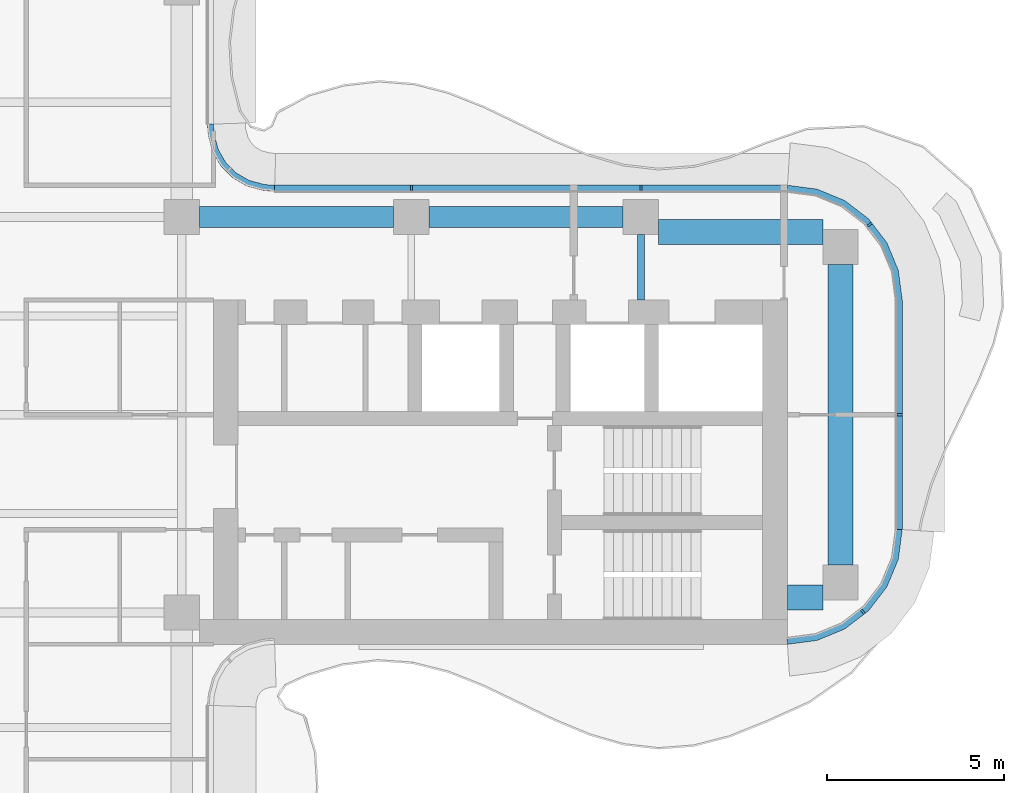
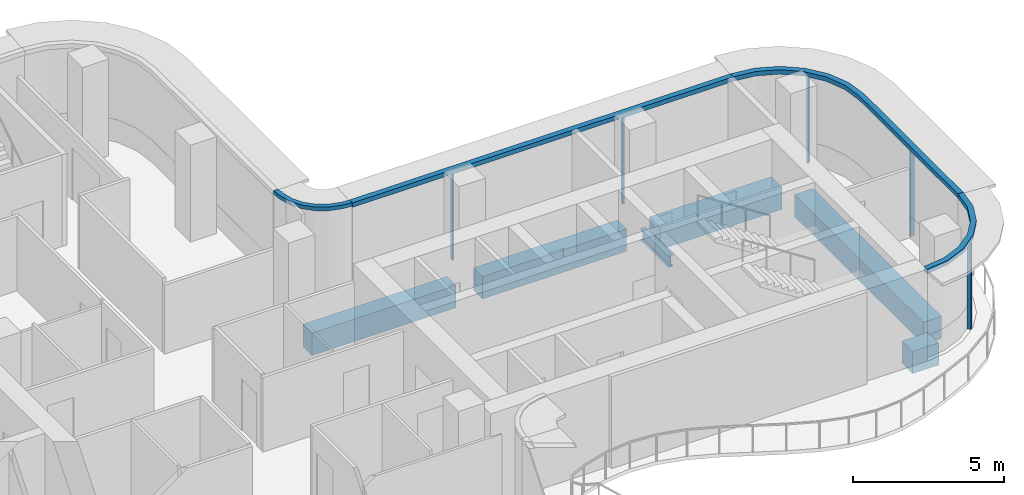
# One storey, part 6 of 16: 9 members, 6 beams, 4 elements without a shape of their own.
"""IFC4 building model written with IfcOpenShell, lengths in metres."""

from ifc_helpers import new_model, si_unit, direction, frame, origin, origin_2d, place, context, subcontext, project, spatial, polyline, rectangle, i_section, outline, extrude, source, transform, mapped, material, layer, layer_set, material_profile, profile_set, type_object, element, aggregate, save


model = new_model("IFC4")

# Units and contexts
model_context = context("Model", 3, precision=1e-05, world=origin(), true_north=direction((0.0, 1.0)))
body_context = subcontext(model_context, "Body", "Model", "MODEL_VIEW")
ifc_project = project(units=[si_unit("LENGTHUNIT", "METRE"), si_unit("AREAUNIT", "SQUARE_METRE"), si_unit("VOLUMEUNIT", "CUBIC_METRE"), si_unit("PLANEANGLEUNIT", "RADIAN"), si_unit("MASSUNIT", "GRAM", prefix="KILO")], contexts=[model_context])

# Site, building, storey
site_placement = place(None, origin())
site = spatial("IfcSite", under=ifc_project, at=site_placement, CompositionType="ELEMENT")
building_placement = place(site_placement, origin())
building = spatial("IfcBuilding", under=site, at=building_placement, Name="Trellis Farm Tower", CompositionType="ELEMENT")
storey_placement = place(building_placement, frame((0.0, 0.0, 310.60009765625)))
storey = spatial("IfcBuildingStorey", under=building, at=storey_placement, Name="L70", CompositionType="ELEMENT", Elevation=310.60009765625)

# Beams
ifc_material_1 = material(Name="Steel S355", Category="steel")
ifc_material_profile_1 = material_profile(ifc_material_1, i_section(OverallWidth=0.1904296875, OverallDepth=0.45703125, WebThickness=0.009033203125, FlangeThickness=0.014404296875, FilletRadius=0.01025390625, at=origin_2d()), Name="UB 457x191x74")
ifc_profile_set_1 = profile_set([ifc_material_profile_1], Name="Steel S355")
beam_type_1 = type_object("IfcBeamType", Name="UB 457x191x74", PredefinedType="BEAM", material=ifc_profile_set_1)
shared_shape_1 = source(origin(), body_context, "Body", "SweptSolid", [
    extrude(i_section(OverallWidth=0.1904296875, OverallDepth=0.45703125, WebThickness=0.009033203125, FlangeThickness=0.014404296875, FilletRadius=0.01025390625, at=origin_2d()), origin(), (0.0, 0.0, 1.0), 1.85009765625),
])
beam_1_placement = place(storey_placement, frame((18.60009765625, 3.25, -0.4287109375), z_axis=(0.0, 1.0, 0.0), x_axis=(-1.0, 0.0, 0.0)))
element("IfcBeam", 1, at=beam_1_placement, inside=storey, type_object=beam_type_1, Name="Girder", PredefinedType="BEAM", context=body_context, shape_type="MappedRepresentation", body=[
    mapped(shared_shape_1, transform((0.0, 0.0, 0.0))),
])
ifc_material_2 = material(Name="Concrete C60/75", Category="concrete")
ifc_material_profile_2 = material_profile(ifc_material_2, rectangle(XDim=0.60009765625, YDim=0.89990234375, at=origin_2d()), Name="RC spandrel beam 600x900 C60/75")
ifc_profile_set_2 = profile_set([ifc_material_profile_2], Name="Concrete C60/75")
beam_type_2 = type_object("IfcBeamType", Name="RC spandrel beam 600x900 C60/75", PredefinedType="SPANDREL", material=ifc_profile_set_2)
shared_shape_2 = source(origin(), body_context, "Body", "SweptSolid", [
    extrude(rectangle(XDim=0.60009765625, YDim=0.89990234375, at=origin_2d()), origin(), (0.0, 0.0, 1.0), 5.5),
])
for number, where, z_axis, x_axis, name in (
    (2, (6.10009765625, 5.60009765625, -0.650146484375), (1.0, 0.0, 0.0), (0.0, 1.0, 0.0), "Girder"),
    (3, (12.60009765625, 5.60009765625, -0.650146484375), (1.0, 0.0, 0.0), (0.0, 1.0, 0.0), "Girder"),
):
    element("IfcBeam", number, at=place(storey_placement, frame(where, z_axis=z_axis, x_axis=x_axis)), inside=storey, type_object=beam_type_2, Name=name, PredefinedType="SPANDREL", context=body_context, shape_type="MappedRepresentation", body=[
        mapped(shared_shape_2, transform((0.0, 0.0, 0.0))),
    ])
ifc_material_profile_3 = material_profile(ifc_material_2, rectangle(XDim=0.699951171875, YDim=0.89990234375, at=origin_2d()), Name="RC spandrel beam 700x900 C60/75")
ifc_profile_set_3 = profile_set([ifc_material_profile_3], Name="Concrete C60/75")
beam_type_3 = type_object("IfcBeamType", Name="RC spandrel beam 700x900 C60/75", PredefinedType="SPANDREL", material=ifc_profile_set_3)
shared_shape_3 = source(origin(), body_context, "Body", "SweptSolid", [
    extrude(rectangle(XDim=0.699951171875, YDim=0.89990234375, at=origin_2d()), origin(), (0.0, 0.0, 1.0), 1.0),
])
beam_2_placement = place(storey_placement, frame((22.75, -5.175048828125, -0.650146484375), z_axis=(1.0, 0.0, 0.0), x_axis=(0.0, 1.0, 0.0)))
element("IfcBeam", 4, at=beam_2_placement, inside=storey, type_object=beam_type_3, Name="Girder", PredefinedType="SPANDREL", context=body_context, shape_type="MappedRepresentation", body=[
    mapped(shared_shape_3, transform((0.0, 0.0, 0.0))),
])
shared_shape_4 = source(origin(), body_context, "Body", "SweptSolid", [
    extrude(rectangle(XDim=0.699951171875, YDim=0.89990234375, at=origin_2d()), origin(), (0.0, 0.0, 1.0), 4.64990234375),
])
beam_3_placement = place(storey_placement, frame((19.10009765625, 5.175048828125, -0.650146484375), z_axis=(1.0, 0.0, 0.0), x_axis=(0.0, 1.0, 0.0)))
element("IfcBeam", 5, at=beam_3_placement, inside=storey, type_object=beam_type_3, Name="Girder", PredefinedType="SPANDREL", context=body_context, shape_type="MappedRepresentation", body=[
    mapped(shared_shape_4, transform((0.0, 0.0, 0.0))),
])
shared_shape_5 = source(origin(), body_context, "Body", "SweptSolid", [
    extrude(rectangle(XDim=0.699951171875, YDim=0.89990234375, at=origin_2d()), origin(), (0.0, 0.0, 1.0), 8.5),
])
beam_4_placement = place(storey_placement, frame((24.25, -4.25, -0.650146484375), z_axis=(0.0, 1.0, 0.0), x_axis=(-1.0, 0.0, 0.0)))
element("IfcBeam", 6, at=beam_4_placement, inside=storey, type_object=beam_type_3, Name="Girder", PredefinedType="SPANDREL", context=body_context, shape_type="MappedRepresentation", body=[
    mapped(shared_shape_5, transform((0.0, 0.0, 0.0))),
])

# Curtain wall, member
ifc_material_3 = material(Name="Aluminium and glass curtain wall", Category="aluminium")
ifc_layer_1 = layer(ifc_material_3, 0.18994140625)
ifc_layer_set_1 = layer_set([ifc_layer_1], Name="RIBBON CURTAIN WALL CW1")
curtain_wall_type_1 = type_object("IfcCurtainWallType", Name="RIBBON CURTAIN WALL CW1", PredefinedType="NOTDEFINED", material=ifc_layer_set_1)
placement_1 = place(storey_placement, origin())
curtain_wall_1 = element("IfcCurtainWall", 7, at=placement_1, inside=storey, type_object=curtain_wall_type_1, Name="CW1 006", PredefinedType="NOTDEFINED")
ifc_material_4 = material(Name="Aluminium extrusion 6063-T6", Category="aluminium")
ifc_material_profile_4 = material_profile(ifc_material_4, rectangle(XDim=0.06005859375, YDim=0.14990234375, at=origin_2d()), Name="MULLION 60x150")
ifc_profile_set_4 = profile_set([ifc_material_profile_4], Name="Aluminium extrusion 6063-T6")
member_type_1 = type_object("IfcMemberType", Name="CW1 MULLION 60x150", PredefinedType="MULLION", material=ifc_profile_set_4)
shared_shape_6 = source(origin(), body_context, "Body", "SweptSolid", [
    extrude(rectangle(XDim=0.06005859375, YDim=0.14990234375, at=origin_2d()), origin(), (0.0, 0.0, 1.0), 3.52001953125),
])
member_1_placement = place(storey_placement, frame((24.885498046875, -5.578369140625, 0.0), z_axis=(0.0, 0.0, 1.0), x_axis=(0.793353340291, 0.608761429009, 0.0)))
member_1 = element("IfcMember", 8, at=member_1_placement, type_object=member_type_1, Name="MU1 006-01", PredefinedType="MULLION", context=body_context, shape_type="MappedRepresentation", body=[
    mapped(shared_shape_6, transform((0.0, 0.0, 0.0))),
])

# Curtain wall, members
curtain_wall_2 = element("IfcCurtainWall", 9, at=placement_1, inside=storey, type_object=curtain_wall_type_1, Name="CW1 007", PredefinedType="NOTDEFINED")
member_2_placement = place(storey_placement, frame((25.925048828125, 0.0, 0.0), z_axis=(0.0, 0.0, 1.0), x_axis=(0.0, 1.0, 0.0)))
member_2 = element("IfcMember", 10, at=member_2_placement, type_object=member_type_1, Name="MU1 007-01", PredefinedType="MULLION", context=body_context, shape_type="MappedRepresentation", body=[
    mapped(shared_shape_6, transform((0.0, 0.0, 0.0))),
])
member_3_placement = place(storey_placement, frame((25.078369140625, 5.385498046875, 0.0), z_axis=(0.0, 0.0, 1.0), x_axis=(-0.608761429009, 0.793353340291, 0.0)))
member_3 = element("IfcMember", 11, at=member_3_placement, type_object=member_type_1, Name="MU1 007-02", PredefinedType="MULLION", context=body_context, shape_type="MappedRepresentation", body=[
    mapped(shared_shape_6, transform((0.0, 0.0, 0.0))),
])

curtain_wall_3 = element("IfcCurtainWall", 12, at=placement_1, inside=storey, type_object=curtain_wall_type_1, Name="CW1 008", PredefinedType="NOTDEFINED")
member_4_placement = place(storey_placement, frame((18.60009765625, 6.425048828125, 0.0), z_axis=(0.0, 0.0, 1.0), x_axis=(-1.0, 0.0, 0.0)))
member_4 = element("IfcMember", 13, at=member_4_placement, type_object=member_type_1, Name="MU1 008-01", PredefinedType="MULLION", context=body_context, shape_type="MappedRepresentation", body=[
    mapped(shared_shape_6, transform((0.0, 0.0, 0.0))),
])
member_5_placement = place(storey_placement, frame((12.10009765625, 6.425048828125, 0.0), z_axis=(0.0, 0.0, 1.0), x_axis=(-1.0, 0.0, 0.0)))
member_5 = element("IfcMember", 14, at=member_5_placement, type_object=member_type_1, Name="MU1 008-02", PredefinedType="MULLION", context=body_context, shape_type="MappedRepresentation", body=[
    mapped(shared_shape_6, transform((0.0, 0.0, 0.0))),
])

# Curtain wall, member
ifc_layer_2 = layer(ifc_material_3, 0.166015625)
ifc_layer_set_2 = layer_set([ifc_layer_2], Name="WINTER GARDEN CURTAIN WALL CW3")
curtain_wall_type_2 = type_object("IfcCurtainWallType", Name="WINTER GARDEN CURTAIN WALL CW3", PredefinedType="NOTDEFINED", material=ifc_layer_set_2)
curtain_wall_4 = element("IfcCurtainWall", 15, at=placement_1, inside=storey, type_object=curtain_wall_type_2, Name="CW3 003", PredefinedType="NOTDEFINED")
ifc_layer_3 = layer(ifc_material_4, 0.169921875)
ifc_layer_set_3 = layer_set([ifc_layer_3], Name="Aluminium extrusion 6063-T6")
member_type_2 = type_object("IfcMemberType", Name="CW3 TRANSOM 170x150", PredefinedType="USERDEFINED", material=ifc_layer_set_3)
shared_shape_7 = source(origin(), body_context, "Body", "SweptSolid", [
    extrude(outline(polyline([(8.2314453125, 6.5), (8.01953125, 6.513916015625), (7.91552734375, 6.527587890625), (7.508544921875, 6.63671875), (7.144287109375, 6.846923828125), (6.846923828125, 7.144287109375), (6.63671875, 7.508544921875), (6.527587890625, 7.91552734375), (6.513916015625, 8.01953125), (6.5, 8.2314453125), (6.330078125, 8.225830078125), (6.3447265625, 8.0029296875), (6.360595703125, 7.88232421875), (6.478271484375, 7.44287109375), (6.7109375, 7.0400390625), (7.0400390625, 6.7109375), (7.44287109375, 6.478271484375), (7.88232421875, 6.360595703125), (8.0029296875, 6.3447265625), (8.225830078125, 6.330078125), (8.2314453125, 6.5)])), origin(), (0.0, 0.0, 1.0), 0.150146484375),
])
member_6_placement = place(storey_placement, frame((0.0, 0.0, 3.5498046875)))
member_6 = element("IfcMember", 16, at=member_6_placement, type_object=member_type_2, Name="TR3 003", ObjectType="TRANSOM", PredefinedType="USERDEFINED", context=body_context, shape_type="MappedRepresentation", body=[
    mapped(shared_shape_7, transform((0.0, 0.0, 0.0))),
])
aggregate(curtain_wall_4, [member_6])

# Member
ifc_layer_4 = layer(ifc_material_4, 0.199951171875)
ifc_layer_set_4 = layer_set([ifc_layer_4], Name="Aluminium extrusion 6063-T6")
member_type_3 = type_object("IfcMemberType", Name="CW1 TRANSOM 200x180", PredefinedType="USERDEFINED", material=ifc_layer_set_4)
shared_shape_8 = source(origin(), body_context, "Body", "SweptSolid", [
    extrude(outline(polyline([(22.75, -6.5), (23.591064453125, -6.38916015625), (24.375, -6.064697265625), (25.048095703125, -5.548095703125), (25.564697265625, -4.875), (25.88916015625, -4.091064453125), (26.0, -3.25), (25.800048828125, -3.23681640625), (25.6943359375, -4.0390625), (25.389892578125, -4.774169921875), (24.905517578125, -5.405517578125), (24.274169921875, -5.889892578125), (23.5390625, -6.1943359375), (22.73681640625, -6.300048828125), (22.75, -6.5)])), origin(), (0.0, 0.0, 1.0), 0.179931640625),
])
placement_2 = place(storey_placement, frame((0.0, 0.0, 3.52001953125)))
member_7 = element("IfcMember", 17, at=placement_2, type_object=member_type_3, Name="TR1 006", ObjectType="TRANSOM", PredefinedType="USERDEFINED", context=body_context, shape_type="MappedRepresentation", body=[
    mapped(shared_shape_8, transform((0.0, 0.0, 0.0))),
])

aggregate(curtain_wall_1, [member_1, member_7])

shared_shape_9 = source(origin(), body_context, "Body", "SweptSolid", [
    extrude(outline(polyline([(22.75, 6.5), (8.2314453125, 6.5), (8.224853515625, 6.300048828125), (22.73681640625, 6.300048828125), (22.75, 6.5)])), origin(), (0.0, 0.0, 1.0), 0.179931640625),
])
member_8 = element("IfcMember", 18, at=placement_2, type_object=member_type_3, Name="TR1 008", ObjectType="TRANSOM", PredefinedType="USERDEFINED", context=body_context, shape_type="MappedRepresentation", body=[
    mapped(shared_shape_9, transform((0.0, 0.0, 0.0))),
])

aggregate(curtain_wall_3, [member_4, member_5, member_8])

shared_shape_10 = source(origin(), body_context, "Body", "SweptSolid", [
    extrude(outline(polyline([(26.0, -3.25), (26.0, 3.25), (25.88916015625, 4.091064453125), (25.564697265625, 4.875), (25.048095703125, 5.548095703125), (24.375, 6.064697265625), (23.591064453125, 6.38916015625), (22.75, 6.5), (22.73681640625, 6.300048828125), (23.5390625, 6.1943359375), (24.274169921875, 5.889892578125), (24.905517578125, 5.405517578125), (25.389892578125, 4.774169921875), (25.6943359375, 4.0390625), (25.800048828125, 3.23681640625), (25.800048828125, -3.23681640625), (26.0, -3.25)])), origin(), (0.0, 0.0, 1.0), 0.179931640625),
])
member_9 = element("IfcMember", 19, at=placement_2, type_object=member_type_3, Name="TR1 007", ObjectType="TRANSOM", PredefinedType="USERDEFINED", context=body_context, shape_type="MappedRepresentation", body=[
    mapped(shared_shape_10, transform((0.0, 0.0, 0.0))),
])

aggregate(curtain_wall_2, [member_2, member_3, member_9])

save(model, "model.ifc")
